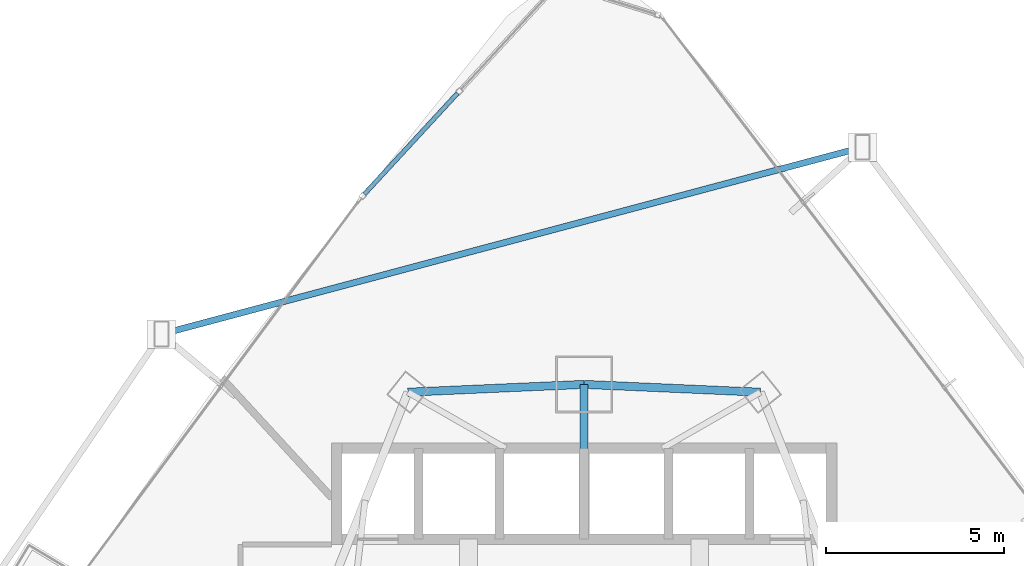
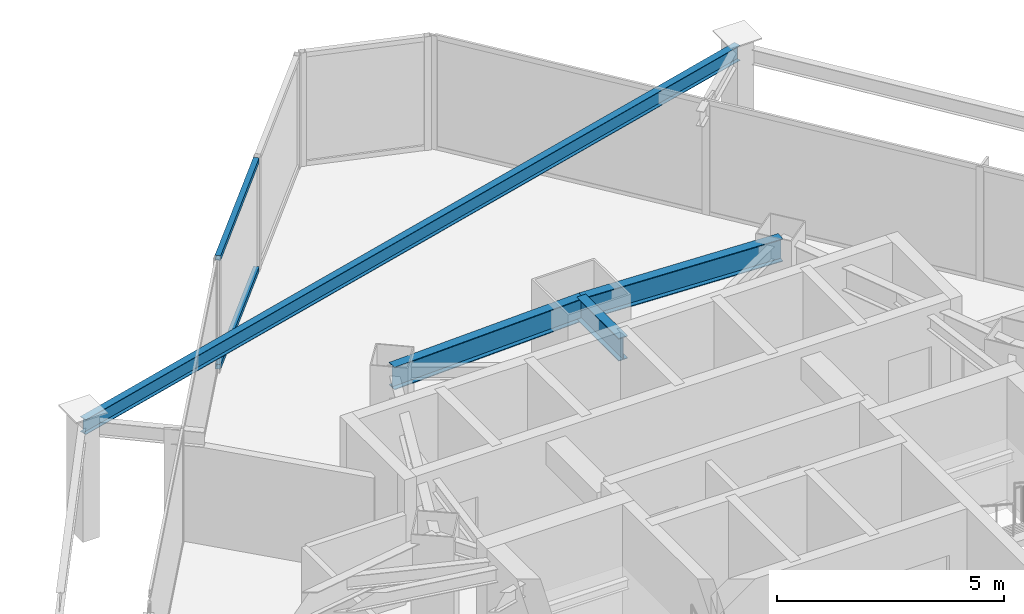
# One storey, part 24 of 35: 4 beams, 2 members, 1 element without a shape of its own.
"""IFC4 building model written with IfcOpenShell, lengths in metres."""

from ifc_helpers import new_model, si_unit, direction, frame, origin, origin_2d, place, context, subcontext, project, spatial, hollow_rectangle, i_section, extrude, material, layer, layer_set, material_profile, profile_set, type_object, element, aggregate, save


model = new_model("IFC4")

# Units and contexts
model_context = context("Model", 3, precision=1e-05, world=origin(), true_north=direction((0.0, 1.0)))
body_context = subcontext(model_context, "Body", "Model", "MODEL_VIEW")
ifc_project = project(units=[si_unit("LENGTHUNIT", "METRE"), si_unit("AREAUNIT", "SQUARE_METRE"), si_unit("VOLUMEUNIT", "CUBIC_METRE"), si_unit("PLANEANGLEUNIT", "RADIAN"), si_unit("MASSUNIT", "GRAM", prefix="KILO")], contexts=[model_context])

# Site, building, storey
site_placement = place(None, origin())
site = spatial("IfcSite", under=ifc_project, at=site_placement, CompositionType="ELEMENT")
building_placement = place(site_placement, origin())
building = spatial("IfcBuilding", under=site, at=building_placement, Name="Orvanel Arch Residences", CompositionType="ELEMENT")
storey_placement = place(building_placement, frame((0.0, 0.0, 30.199951171875)))
storey = spatial("IfcBuildingStorey", under=building, at=storey_placement, Name="L07", CompositionType="ELEMENT", Elevation=30.199951171875)

# Beams
ifc_material_1 = material(Name="Structural steel AS/NZS 3679.1 Grade 300 (300 MPa)", Category="steel")
ifc_material_profile_1 = material_profile(ifc_material_1, i_section(OverallWidth=0.22900390625, OverallDepth=0.612060546875, WebThickness=0.011962890625, FlangeThickness=0.01953125, at=origin_2d()), Name="610UB125")
ifc_profile_set_1 = profile_set([ifc_material_profile_1], Name="Structural steel AS/NZS 3679.1 Grade 300 (300 MPa)")
beam_type_1 = type_object("IfcBeamType", Name="BG-610UB", PredefinedType="BEAM", material=ifc_profile_set_1)
beam_1_placement = place(storey_placement, frame((33.0, 39.550048828125, 2.754150390625), z_axis=(0.0, 1.0, 0.0), x_axis=(-1.0, 0.0, 0.0)))
element("IfcBeam", 1, at=beam_1_placement, inside=storey, type_object=beam_type_1, Name="L07 North Radial Girder", PredefinedType="BEAM", context=body_context, shape_type="SweptSolid", body=[
    extrude(i_section(OverallWidth=0.22900390625, OverallDepth=0.612060546875, WebThickness=0.011962890625, FlangeThickness=0.01953125, at=origin_2d()), origin(), (0.0, 0.0, 1.0), 1.847900390625),
])
ifc_material_profile_2 = material_profile(ifc_material_1, i_section(OverallWidth=0.177978515625, OverallDepth=0.406005859375, WebThickness=0.0078125, FlangeThickness=0.0126953125, at=origin_2d()), Name="410UB59.7")
ifc_profile_set_2 = profile_set([ifc_material_profile_2], Name="Structural steel AS/NZS 3679.1 Grade 300 (300 MPa)")
beam_type_2 = type_object("IfcBeamType", Name="OB-410UB-EXT", PredefinedType="SPANDREL", material=ifc_profile_set_2)
beam_2_placement = place(storey_placement, frame((40.822021484375, 48.05908203125, 2.85693359375), z_axis=(-0.966259586546, -0.257570206754, 0.0), x_axis=(0.257570206754, -0.966259586546, 0.0)))
element("IfcBeam", 2, at=beam_2_placement, inside=storey, type_object=beam_type_2, Name="L07 Outer Perimeter Floor Ring Beam 12", PredefinedType="SPANDREL", context=body_context, shape_type="SweptSolid", body=[
    extrude(i_section(OverallWidth=0.177978515625, OverallDepth=0.406005859375, WebThickness=0.0078125, FlangeThickness=0.0126953125, at=origin_2d()), origin(), (0.0, 0.0, 1.0), 20.3828125),
])
ifc_material_profile_3 = material_profile(ifc_material_1, i_section(OverallWidth=0.22900390625, OverallDepth=0.612060546875, WebThickness=0.011962890625, FlangeThickness=0.01953125, at=origin_2d()), Name="610UB125")
ifc_profile_set_3 = profile_set([ifc_material_profile_3], Name="Structural steel AS/NZS 3679.1 Grade 300 (300 MPa)")
beam_type_3 = type_object("IfcBeamType", Name="SP-610UB", PredefinedType="SPANDREL", material=ifc_profile_set_3)
for number, where, z_axis, x_axis, name in (
    (3, (37.949951171875, 41.177978515625, 2.754150390625), (-0.999014049296, 0.044395149614, 0.0), (-0.044395149614, -0.999014049296, 0.0), "L07 Perimeter Spandrel Beam 16"),
    (4, (33.0, 41.39794921875, 2.754150390625), (-0.999014049296, -0.044395149614, 0.0), (0.044395149614, -0.999014049296, 0.0), "L07 Perimeter Spandrel Beam 17"),
):
    element("IfcBeam", number, at=place(storey_placement, frame(where, z_axis=z_axis, x_axis=x_axis)), inside=storey, type_object=beam_type_3, Name=name, PredefinedType="SPANDREL", context=body_context, shape_type="SweptSolid", body=[
        extrude(i_section(OverallWidth=0.22900390625, OverallDepth=0.612060546875, WebThickness=0.011962890625, FlangeThickness=0.01953125, at=origin_2d()), origin(), (0.0, 0.0, 1.0), 4.954833984375),
    ])

# Curtain wall, members
ifc_material_2 = material(Name="Bronze-anodised aluminium AA6063-T6", Category="aluminium")
ifc_layer = layer(ifc_material_2, 0.18994140625)
ifc_layer_set = layer_set([ifc_layer], Name="Bronze-anodised aluminium AA6063-T6")
curtain_wall_type = type_object("IfcCurtainWallType", Name="CW5-CRN-SYS", PredefinedType="NOTDEFINED", material=ifc_layer_set)
curtain_wall_placement = place(storey_placement, origin())
curtain_wall = element("IfcCurtainWall", 5, at=curtain_wall_placement, inside=storey, type_object=curtain_wall_type, Name="L07 CW5-CRN-SYS Unitised Curtain Wall", PredefinedType="NOTDEFINED")
ifc_material_profile_4 = material_profile(ifc_material_2, hollow_rectangle(XDim=0.1298828125, YDim=0.1298828125, WallThickness=0.00439453125, at=origin_2d()), Name="ALU130x130x4.5")
ifc_profile_set_4 = profile_set([ifc_material_profile_4], Name="Bronze-anodised aluminium AA6063-T6")
member_type = type_object("IfcMemberType", Name="TRN-130x130", PredefinedType="USERDEFINED", material=ifc_profile_set_4)
member_1_placement = place(storey_placement, frame((29.444580078125, 49.574462890625, 0.06494140625), z_axis=(-0.678393082781, -0.734699139264, 0.0), x_axis=(0.734699139264, -0.678393082781, 0.0)))
member_1 = element("IfcMember", 6, at=member_1_placement, type_object=member_type, Name="CW-S5 transom 2.1", ObjectType="TRANSOM", PredefinedType="USERDEFINED", context=body_context, shape_type="SweptSolid", body=[
    extrude(hollow_rectangle(XDim=0.1298828125, YDim=0.1298828125, WallThickness=0.00439453125, at=origin_2d()), origin(), (0.0, 0.0, 1.0), 3.85888671875),
])
member_2_placement = place(storey_placement, frame((29.444580078125, 49.574462890625, 2.9951171875), z_axis=(-0.678393082781, -0.734699139264, 0.0), x_axis=(0.734699139264, -0.678393082781, 0.0)))
member_2 = element("IfcMember", 7, at=member_2_placement, type_object=member_type, Name="CW-S5 transom 2.2", ObjectType="TRANSOM", PredefinedType="USERDEFINED", context=body_context, shape_type="SweptSolid", body=[
    extrude(hollow_rectangle(XDim=0.1298828125, YDim=0.1298828125, WallThickness=0.00439453125, at=origin_2d()), origin(), (0.0, 0.0, 1.0), 3.85888671875),
])
aggregate(curtain_wall, [member_1, member_2])

save(model, "model.ifc")
